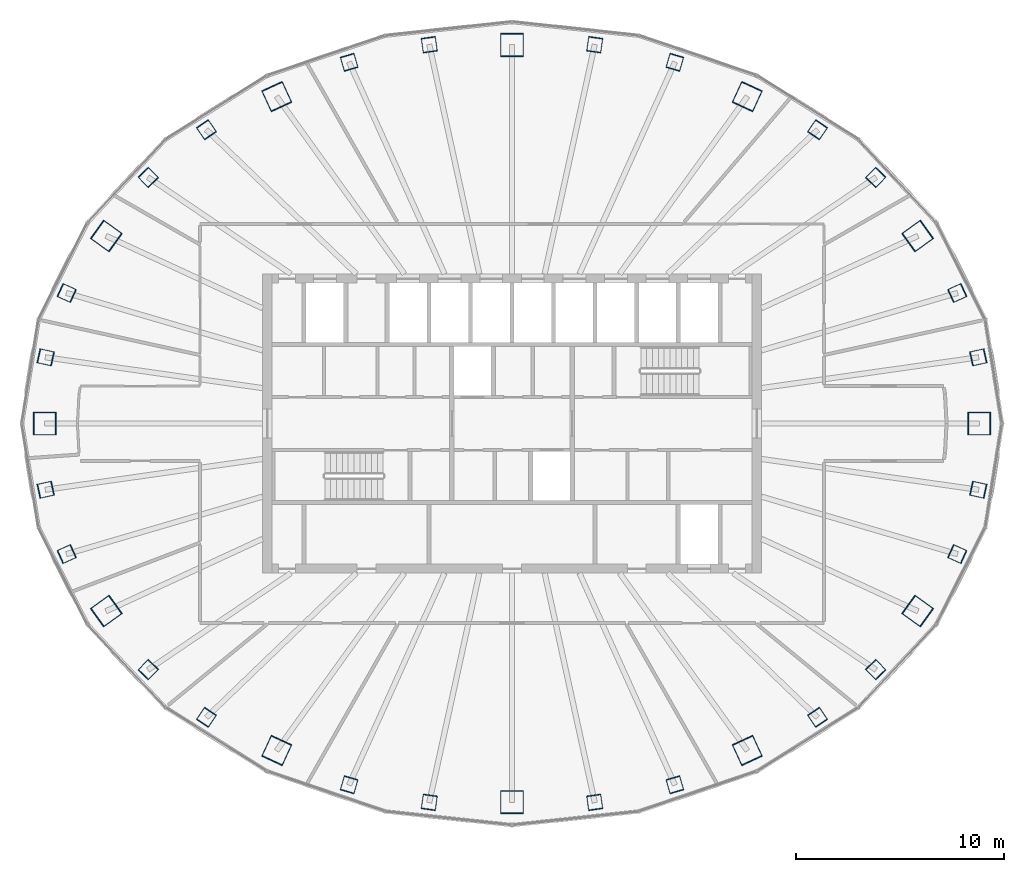
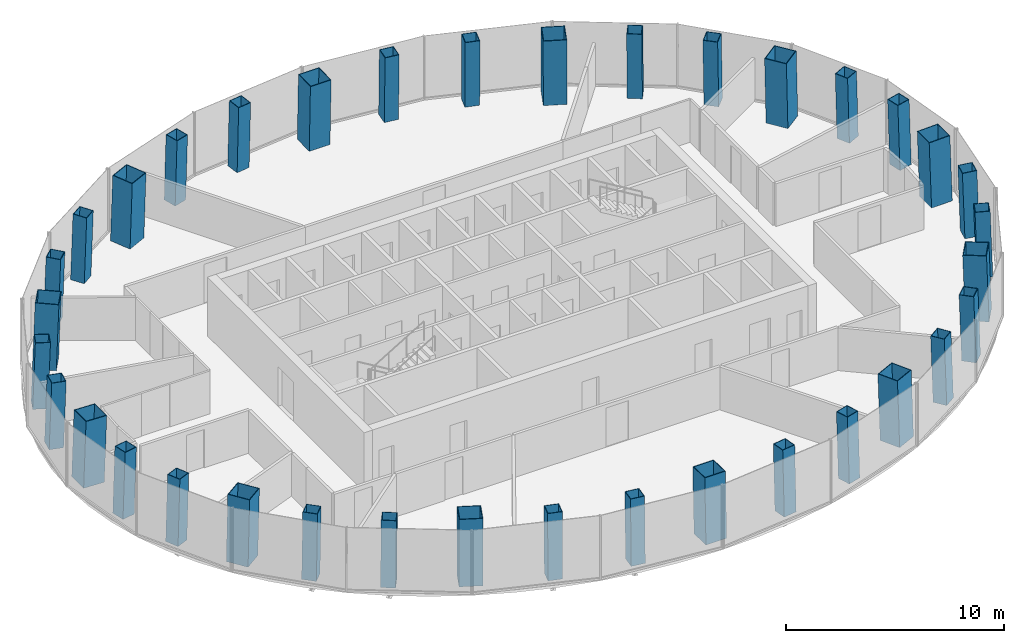
# One storey, part 1 of 13: 36 columns.
"""IFC4 building model written with IfcOpenShell, lengths in metres."""

from ifc_helpers import new_model, si_unit, direction, frame, origin, origin_2d, place, context, subcontext, project, spatial, hollow_rectangle, extrude, material, material_profile, profile_set, type_object, element, save


model = new_model("IFC4")

# Units and contexts
model_context = context("Model", 3, precision=1e-05, world=origin(), true_north=direction((0.0, 1.0)))
body_context = subcontext(model_context, "Body", "Model", "MODEL_VIEW")
ifc_project = project(units=[si_unit("LENGTHUNIT", "METRE"), si_unit("AREAUNIT", "SQUARE_METRE"), si_unit("VOLUMEUNIT", "CUBIC_METRE"), si_unit("PLANEANGLEUNIT", "RADIAN"), si_unit("MASSUNIT", "GRAM", prefix="KILO")], contexts=[model_context])

# Site, building, storey
site_placement = place(None, origin())
site = spatial("IfcSite", under=ifc_project, at=site_placement, CompositionType="ELEMENT")
building_placement = place(site_placement, origin())
building = spatial("IfcBuilding", under=site, at=building_placement, Name="Siaravel Broadcast Tower", CompositionType="ELEMENT")
storey_placement = place(building_placement, frame((0.0, 0.0, 171.89990234375)))
storey = spatial("IfcBuildingStorey", under=building, at=storey_placement, Name="L41", CompositionType="ELEMENT", Elevation=171.89990234375)

# Columns
ifc_material = material(Name="Concrete C60/75", Category="concrete")
ifc_material_profile_1 = material_profile(ifc_material, hollow_rectangle(XDim=1.10009765625, YDim=1.10009765625, WallThickness=0.031982421875, at=origin_2d()))
ifc_profile_set_1 = profile_set([ifc_material_profile_1], Name="Concrete C60/75")
column_type_1 = type_object("IfcColumnType", Name="COL-CFT BOX 1100x1100x32", PredefinedType="COLUMN", material=ifc_profile_set_1)
column_1_placement = place(storey_placement, frame((22.49267578125, 0.0, 0.0), z_axis=(-0.034618983, 0.0, 0.999400583), x_axis=(0.0, -1.0, 0.0)))
element("IfcColumn", 1, at=column_1_placement, inside=storey, type_object=column_type_1, Name="Megacolumn MC01", PredefinedType="COLUMN", context=body_context, shape_type="SweptSolid", body=[
    extrude(hollow_rectangle(XDim=1.10009765625, YDim=1.10009765625, WallThickness=0.031982421875, at=origin_2d()), origin(), (0.0, 0.0, 1.0), 3.702392578125),
])
column_2_placement = place(storey_placement, frame((19.53271484375, 9.02880859375, 0.0), z_axis=(-0.029938693, -0.014178016, 0.999451179), x_axis=(0.583604292, -0.812016302, 0.005962843)))
element("IfcColumn", 2, at=column_2_placement, inside=storey, type_object=column_type_1, Name="Megacolumn MC02", PredefinedType="COLUMN", context=body_context, shape_type="SweptSolid", body=[
    extrude(hollow_rectangle(XDim=1.10009765625, YDim=1.10009765625, WallThickness=0.031982421875, at=origin_2d()), origin(), (0.0, 0.0, 1.0), 3.7021484375),
])
column_3_placement = place(storey_placement, frame((11.326171875, 15.74169921875, 0.0), z_axis=(-0.017345001, -0.024599564, 0.999546904), x_axis=(0.908005098, -0.418923715, 0.005446476)))
element("IfcColumn", 3, at=column_3_placement, inside=storey, type_object=column_type_1, Name="Megacolumn MC03", PredefinedType="COLUMN", context=body_context, shape_type="SweptSolid", body=[
    extrude(hollow_rectangle(XDim=1.10009765625, YDim=1.10009765625, WallThickness=0.031982421875, at=origin_2d()), origin(), (0.0, 0.0, 1.0), 3.701904296875),
])
column_4_placement = place(storey_placement, frame((0.0, 18.22509765625, 0.0), z_axis=(0.0, -0.02836019, 0.999597769), x_axis=(1.0, 0.0, 0.0)))
element("IfcColumn", 4, at=column_4_placement, inside=storey, type_object=column_type_1, Name="Megacolumn MC04", PredefinedType="COLUMN", context=body_context, shape_type="SweptSolid", body=[
    extrude(hollow_rectangle(XDim=1.10009765625, YDim=1.10009765625, WallThickness=0.031982421875, at=origin_2d()), origin(), (0.0, 0.0, 1.0), 3.70166015625),
])
column_5_placement = place(storey_placement, frame((-11.326171875, 15.74169921875, 0.0), z_axis=(0.017345001, -0.024599564, 0.999546904), x_axis=(0.908005098, 0.418923715, -0.005446476)))
element("IfcColumn", 5, at=column_5_placement, inside=storey, type_object=column_type_1, Name="Megacolumn MC05", PredefinedType="COLUMN", context=body_context, shape_type="SweptSolid", body=[
    extrude(hollow_rectangle(XDim=1.10009765625, YDim=1.10009765625, WallThickness=0.031982421875, at=origin_2d()), origin(), (0.0, 0.0, 1.0), 3.701904296875),
])
column_6_placement = place(storey_placement, frame((-19.53271484375, 9.02880859375, 0.0), z_axis=(0.029938693, -0.014178016, 0.999451179), x_axis=(0.583604292, 0.812016302, -0.005962843)))
element("IfcColumn", 6, at=column_6_placement, inside=storey, type_object=column_type_1, Name="Megacolumn MC06", PredefinedType="COLUMN", context=body_context, shape_type="SweptSolid", body=[
    extrude(hollow_rectangle(XDim=1.10009765625, YDim=1.10009765625, WallThickness=0.031982421875, at=origin_2d()), origin(), (0.0, 0.0, 1.0), 3.7021484375),
])
column_7_placement = place(storey_placement, frame((-22.49267578125, 0.0, 0.0), z_axis=(0.034618983, 0.0, 0.999400583), x_axis=(0.0, 1.0, 0.0)))
element("IfcColumn", 7, at=column_7_placement, inside=storey, type_object=column_type_1, Name="Megacolumn MC07", PredefinedType="COLUMN", context=body_context, shape_type="SweptSolid", body=[
    extrude(hollow_rectangle(XDim=1.10009765625, YDim=1.10009765625, WallThickness=0.031982421875, at=origin_2d()), origin(), (0.0, 0.0, 1.0), 3.702392578125),
])
column_8_placement = place(storey_placement, frame((-19.53271484375, -9.02880859375, 0.0), z_axis=(0.029938693, 0.014178016, 0.999451179), x_axis=(-0.583604292, 0.812016302, 0.005962843)))
element("IfcColumn", 8, at=column_8_placement, inside=storey, type_object=column_type_1, Name="Megacolumn MC08", PredefinedType="COLUMN", context=body_context, shape_type="SweptSolid", body=[
    extrude(hollow_rectangle(XDim=1.10009765625, YDim=1.10009765625, WallThickness=0.031982421875, at=origin_2d()), origin(), (0.0, 0.0, 1.0), 3.7021484375),
])
column_9_placement = place(storey_placement, frame((-11.326171875, -15.74169921875, 0.0), z_axis=(0.017345001, 0.024599564, 0.999546904), x_axis=(-0.908005098, 0.418923715, 0.005446476)))
element("IfcColumn", 9, at=column_9_placement, inside=storey, type_object=column_type_1, Name="Megacolumn MC09", PredefinedType="COLUMN", context=body_context, shape_type="SweptSolid", body=[
    extrude(hollow_rectangle(XDim=1.10009765625, YDim=1.10009765625, WallThickness=0.031982421875, at=origin_2d()), origin(), (0.0, 0.0, 1.0), 3.701904296875),
])
column_10_placement = place(storey_placement, frame((0.0, -18.22509765625, 0.0), z_axis=(0.0, 0.02836019, 0.999597769), x_axis=(-1.0, 0.0, 0.0)))
element("IfcColumn", 10, at=column_10_placement, inside=storey, type_object=column_type_1, Name="Megacolumn MC10", PredefinedType="COLUMN", context=body_context, shape_type="SweptSolid", body=[
    extrude(hollow_rectangle(XDim=1.10009765625, YDim=1.10009765625, WallThickness=0.031982421875, at=origin_2d()), origin(), (0.0, 0.0, 1.0), 3.70166015625),
])
column_11_placement = place(storey_placement, frame((11.326171875, -15.74169921875, 0.0), z_axis=(-0.017345001, 0.024599564, 0.999546904), x_axis=(-0.908005098, -0.418923715, -0.005446476)))
element("IfcColumn", 11, at=column_11_placement, inside=storey, type_object=column_type_1, Name="Megacolumn MC11", PredefinedType="COLUMN", context=body_context, shape_type="SweptSolid", body=[
    extrude(hollow_rectangle(XDim=1.10009765625, YDim=1.10009765625, WallThickness=0.031982421875, at=origin_2d()), origin(), (0.0, 0.0, 1.0), 3.701904296875),
])
column_12_placement = place(storey_placement, frame((19.53271484375, -9.02880859375, 0.0), z_axis=(-0.029938693, 0.014178016, 0.999451179), x_axis=(-0.583604292, -0.812016302, -0.005962843)))
element("IfcColumn", 12, at=column_12_placement, inside=storey, type_object=column_type_1, Name="Megacolumn MC12", PredefinedType="COLUMN", context=body_context, shape_type="SweptSolid", body=[
    extrude(hollow_rectangle(XDim=1.10009765625, YDim=1.10009765625, WallThickness=0.031982421875, at=origin_2d()), origin(), (0.0, 0.0, 1.0), 3.7021484375),
])
ifc_material_profile_2 = material_profile(ifc_material, hollow_rectangle(XDim=0.699951171875, YDim=0.699951171875, WallThickness=0.02490234375, at=origin_2d()))
ifc_profile_set_2 = profile_set([ifc_material_profile_2], Name="Concrete C60/75")
column_type_2 = type_object("IfcColumnType", Name="COL-CFT BOX 700x700x25", PredefinedType="COLUMN", material=ifc_profile_set_2)
for number, where, z_axis, x_axis, name in (
    (13, (22.4521484375, 3.1875, 0.0), (-0.034025792, -0.004945609, 0.999408718), (0.213653216, -0.976906521, 0.002439764), "Perimeter column C01"),
    (14, (21.438720703125, 6.28466796875, 0.0), (-0.032443776, -0.009693567, 0.999426554), (0.410727456, -0.911747112, 0.004490042), "Perimeter column C02"),
):
    element("IfcColumn", number, at=place(storey_placement, frame(where, z_axis=z_axis, x_axis=x_axis)), inside=storey, type_object=column_type_2, Name=name, PredefinedType="COLUMN", context=body_context, shape_type="SweptSolid", body=[
        extrude(hollow_rectangle(XDim=0.699951171875, YDim=0.699951171875, WallThickness=0.02490234375, at=origin_2d()), origin(), (0.0, 0.0, 1.0), 3.702392578125),
    ])
column_13_placement = place(storey_placement, frame((17.51416015625, 11.849609375, 0.0), z_axis=(-0.026510399, -0.018267116, 0.999481621), x_axis=(0.721420204, -0.692467263, 0.006479117)))
element("IfcColumn", 15, at=column_13_placement, inside=storey, type_object=column_type_2, Name="Perimeter column C03", PredefinedType="COLUMN", context=body_context, shape_type="SweptSolid", body=[
    extrude(hollow_rectangle(XDim=0.699951171875, YDim=0.699951171875, WallThickness=0.02490234375, at=origin_2d()), origin(), (0.0, 0.0, 1.0), 3.7021484375),
])
column_14_placement = place(storey_placement, frame((14.7119140625, 14.14453125, 0.0), z_axis=(-0.02222469, -0.021697101, 0.999517533), x_axis=(0.828350642, -0.56017501, 0.006258682)))
element("IfcColumn", 16, at=column_14_placement, inside=storey, type_object=column_type_2, Name="Perimeter column C04", PredefinedType="COLUMN", context=body_context, shape_type="SweptSolid", body=[
    extrude(hollow_rectangle(XDim=0.699951171875, YDim=0.699951171875, WallThickness=0.02490234375, at=origin_2d()), origin(), (0.0, 0.0, 1.0), 3.701904296875),
])
for number, where, z_axis, x_axis, name in (
    (17, (7.840576171875, 17.39306640625, 0.0), (-0.011805488, -0.026644788, 0.999575253), (0.960111541, -0.279590276, 0.003886612), "Perimeter column C05"),
    (18, (3.982421875, 18.23974609375, 0.0), (-0.006001778, -0.027898372, 0.999592747), (0.990157219, -0.139944713, 0.002039304), "Perimeter column C06"),
    (19, (-3.982421875, 18.23974609375, 0.0), (0.006001778, -0.027898372, 0.999592747), (0.990157219, 0.139944713, -0.002039304), "Perimeter column C07"),
    (20, (-7.840576171875, 17.39306640625, 0.0), (0.011805488, -0.026644788, 0.999575253), (0.960111541, 0.279590276, -0.003886612), "Perimeter column C08"),
):
    element("IfcColumn", number, at=place(storey_placement, frame(where, z_axis=z_axis, x_axis=x_axis)), inside=storey, type_object=column_type_2, Name=name, PredefinedType="COLUMN", context=body_context, shape_type="SweptSolid", body=[
        extrude(hollow_rectangle(XDim=0.699951171875, YDim=0.699951171875, WallThickness=0.02490234375, at=origin_2d()), origin(), (0.0, 0.0, 1.0), 3.70166015625),
    ])
column_15_placement = place(storey_placement, frame((-14.7119140625, 14.14453125, 0.0), z_axis=(0.02222469, -0.021697101, 0.999517533), x_axis=(0.828350642, 0.56017501, -0.006258682)))
element("IfcColumn", 21, at=column_15_placement, inside=storey, type_object=column_type_2, Name="Perimeter column C09", PredefinedType="COLUMN", context=body_context, shape_type="SweptSolid", body=[
    extrude(hollow_rectangle(XDim=0.699951171875, YDim=0.699951171875, WallThickness=0.02490234375, at=origin_2d()), origin(), (0.0, 0.0, 1.0), 3.701904296875),
])
column_16_placement = place(storey_placement, frame((-17.51416015625, 11.849609375, 0.0), z_axis=(0.026510399, -0.018267116, 0.999481621), x_axis=(0.721420204, 0.692467263, -0.006479117)))
element("IfcColumn", 22, at=column_16_placement, inside=storey, type_object=column_type_2, Name="Perimeter column C10", PredefinedType="COLUMN", context=body_context, shape_type="SweptSolid", body=[
    extrude(hollow_rectangle(XDim=0.699951171875, YDim=0.699951171875, WallThickness=0.02490234375, at=origin_2d()), origin(), (0.0, 0.0, 1.0), 3.7021484375),
])
for number, where, z_axis, x_axis, name in (
    (23, (-21.438720703125, 6.28466796875, 0.0), (0.032443776, -0.009693567, 0.999426554), (0.410727456, 0.911747112, -0.004490042), "Perimeter column C11"),
    (24, (-22.4521484375, 3.1875, 0.0), (0.034025792, -0.004945609, 0.999408718), (0.213653216, 0.976906521, -0.002439764), "Perimeter column C12"),
    (25, (-22.4521484375, -3.1875, 0.0), (0.034025792, 0.004945609, 0.999408718), (-0.213653216, 0.976906521, 0.002439764), "Perimeter column C13"),
    (26, (-21.438720703125, -6.28466796875, 0.0), (0.032443776, 0.009693567, 0.999426554), (-0.410727456, 0.911747112, 0.004490042), "Perimeter column C14"),
):
    element("IfcColumn", number, at=place(storey_placement, frame(where, z_axis=z_axis, x_axis=x_axis)), inside=storey, type_object=column_type_2, Name=name, PredefinedType="COLUMN", context=body_context, shape_type="SweptSolid", body=[
        extrude(hollow_rectangle(XDim=0.699951171875, YDim=0.699951171875, WallThickness=0.02490234375, at=origin_2d()), origin(), (0.0, 0.0, 1.0), 3.702392578125),
    ])
column_17_placement = place(storey_placement, frame((-17.51416015625, -11.849609375, 0.0), z_axis=(0.026510399, 0.018267116, 0.999481621), x_axis=(-0.721420204, 0.692467263, 0.006479117)))
element("IfcColumn", 27, at=column_17_placement, inside=storey, type_object=column_type_2, Name="Perimeter column C15", PredefinedType="COLUMN", context=body_context, shape_type="SweptSolid", body=[
    extrude(hollow_rectangle(XDim=0.699951171875, YDim=0.699951171875, WallThickness=0.02490234375, at=origin_2d()), origin(), (0.0, 0.0, 1.0), 3.7021484375),
])
column_18_placement = place(storey_placement, frame((-14.7119140625, -14.14453125, 0.0), z_axis=(0.02222469, 0.021697101, 0.999517533), x_axis=(-0.828350642, 0.56017501, 0.006258682)))
element("IfcColumn", 28, at=column_18_placement, inside=storey, type_object=column_type_2, Name="Perimeter column C16", PredefinedType="COLUMN", context=body_context, shape_type="SweptSolid", body=[
    extrude(hollow_rectangle(XDim=0.699951171875, YDim=0.699951171875, WallThickness=0.02490234375, at=origin_2d()), origin(), (0.0, 0.0, 1.0), 3.701904296875),
])
for number, where, z_axis, x_axis, name in (
    (29, (-7.840576171875, -17.39306640625, 0.0), (0.011805488, 0.026644788, 0.999575253), (-0.960111541, 0.279590276, 0.003886612), "Perimeter column C17"),
    (30, (-3.982421875, -18.23974609375, 0.0), (0.006001778, 0.027898372, 0.999592747), (-0.990157219, 0.139944713, 0.002039304), "Perimeter column C18"),
    (31, (3.982421875, -18.23974609375, 0.0), (-0.006001778, 0.027898372, 0.999592747), (-0.990157219, -0.139944713, -0.002039304), "Perimeter column C19"),
    (32, (7.840576171875, -17.39306640625, 0.0), (-0.011805488, 0.026644788, 0.999575253), (-0.960111541, -0.279590276, -0.003886612), "Perimeter column C20"),
):
    element("IfcColumn", number, at=place(storey_placement, frame(where, z_axis=z_axis, x_axis=x_axis)), inside=storey, type_object=column_type_2, Name=name, PredefinedType="COLUMN", context=body_context, shape_type="SweptSolid", body=[
        extrude(hollow_rectangle(XDim=0.699951171875, YDim=0.699951171875, WallThickness=0.02490234375, at=origin_2d()), origin(), (0.0, 0.0, 1.0), 3.70166015625),
    ])
column_19_placement = place(storey_placement, frame((14.7119140625, -14.14453125, 0.0), z_axis=(-0.02222469, 0.021697101, 0.999517533), x_axis=(-0.828350642, -0.56017501, -0.006258682)))
element("IfcColumn", 33, at=column_19_placement, inside=storey, type_object=column_type_2, Name="Perimeter column C21", PredefinedType="COLUMN", context=body_context, shape_type="SweptSolid", body=[
    extrude(hollow_rectangle(XDim=0.699951171875, YDim=0.699951171875, WallThickness=0.02490234375, at=origin_2d()), origin(), (0.0, 0.0, 1.0), 3.701904296875),
])
column_20_placement = place(storey_placement, frame((17.51416015625, -11.849609375, 0.0), z_axis=(-0.026510399, 0.018267116, 0.999481621), x_axis=(-0.721420204, -0.692467263, -0.006479117)))
element("IfcColumn", 34, at=column_20_placement, inside=storey, type_object=column_type_2, Name="Perimeter column C22", PredefinedType="COLUMN", context=body_context, shape_type="SweptSolid", body=[
    extrude(hollow_rectangle(XDim=0.699951171875, YDim=0.699951171875, WallThickness=0.02490234375, at=origin_2d()), origin(), (0.0, 0.0, 1.0), 3.7021484375),
])
for number, where, z_axis, x_axis, name in (
    (35, (21.438720703125, -6.28466796875, 0.0), (-0.032443776, 0.009693567, 0.999426554), (-0.410727456, -0.911747112, -0.004490042), "Perimeter column C23"),
    (36, (22.4521484375, -3.1875, 0.0), (-0.034025792, 0.004945609, 0.999408718), (-0.213653216, -0.976906521, -0.002439764), "Perimeter column C24"),
):
    element("IfcColumn", number, at=place(storey_placement, frame(where, z_axis=z_axis, x_axis=x_axis)), inside=storey, type_object=column_type_2, Name=name, PredefinedType="COLUMN", context=body_context, shape_type="SweptSolid", body=[
        extrude(hollow_rectangle(XDim=0.699951171875, YDim=0.699951171875, WallThickness=0.02490234375, at=origin_2d()), origin(), (0.0, 0.0, 1.0), 3.702392578125),
    ])

save(model, "model.ifc")
